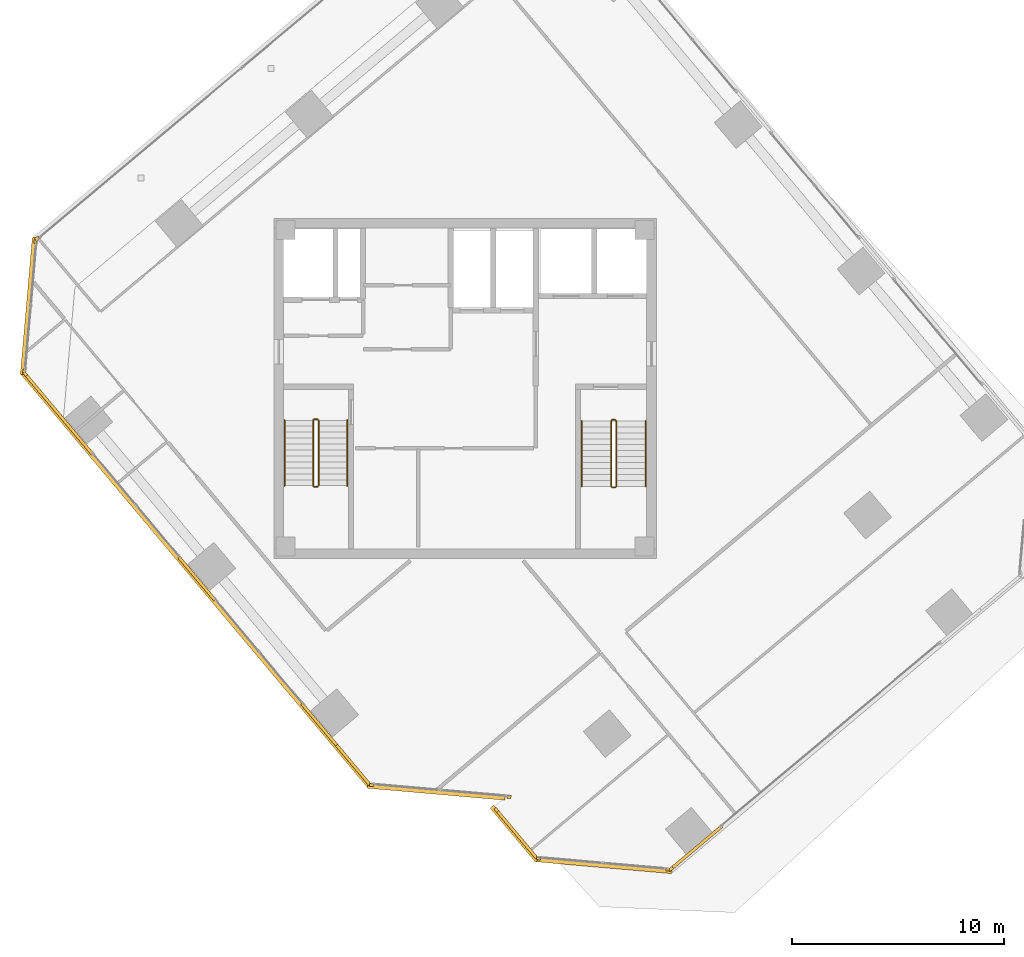
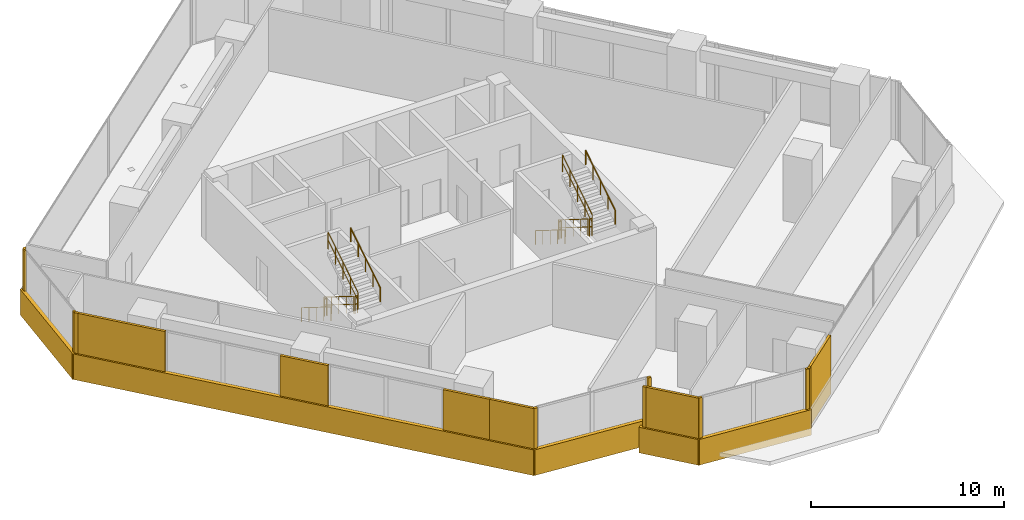
# One storey, part 15 of 17: 21 coverings, 12 railings.
"""IFC4 building model written with IfcOpenShell, lengths in metres."""

import ifcopenshell
import ifcopenshell.guid

model = None  # the IFC model being written
_history = None  # IfcOwnerHistory: only IFC2X3 demands one
_inside = {}  # id of a spatial element -> (the spatial element, [elements in it])
_under = {}  # id of a project, library or spatial element -> (it, [spatial elements below it])
_declared = {}  # id of a project -> (the project, [libraries it declares])
_typed = {}  # id of a type object -> (the type object, [elements of that type])
_made_of = {}  # id of a material, layer set ... -> (it, [elements and type objects made of it])


def new_model(schema):
    """Start an empty IFC model of exactly this schema.

    Asked for "IFC4X3", IfcOpenShell would pick the latest addendum, in which some entities
    have other attributes; the version numbers below select the first issue.
    IFC2X3 requires an IfcOwnerHistory on every rooted entity: one is made here for all.
    """
    global model, _history
    if schema == "IFC4X3":
        model = ifcopenshell.file(schema_version=(4, 3, 0, 0))
    else:
        model = ifcopenshell.file(schema=schema)
    _inside.clear()
    _under.clear()
    _declared.clear()
    _typed.clear()
    _made_of.clear()
    _history = None
    if model.schema == "IFC2X3":
        org = make("IfcOrganization", Name="unknown")
        user = make(
            "IfcPersonAndOrganization",
            ThePerson=make("IfcPerson", FamilyName="unknown"),
            TheOrganization=org,
        )
        app = make(
            "IfcApplication",
            ApplicationDeveloper=org,
            Version="unknown",
            ApplicationFullName="unknown",
            ApplicationIdentifier="unknown",
        )
        _history = make(
            "IfcOwnerHistory",
            OwningUser=user,
            OwningApplication=app,
            ChangeAction="ADDED",
            CreationDate=0,
        )
    return model


def make(cls, **values):
    """One entity of the class cls with the attributes given. An attribute that is None is left unset."""
    return model.create_entity(
        cls, **{name: value for name, value in values.items() if value is not None}
    )


def rooted(cls, **values):
    """An entity with a GlobalId (a new one), such as an element, a storey or a relation."""
    return make(cls, GlobalId=ifcopenshell.guid.new(), OwnerHistory=_history, **values)


def si_unit(unit_type, name, prefix=None):
    """IfcSIUnit, for example si_unit("LENGTHUNIT", "METRE", prefix="MILLI")."""
    return make("IfcSIUnit", UnitType=unit_type, Prefix=prefix, Name=name)


def assignment(units):
    """IfcUnitAssignment: the units of a project."""
    return None if units is None else make("IfcUnitAssignment", Units=units)


def point(xyz):
    """IfcCartesianPoint."""
    return None if xyz is None else make("IfcCartesianPoint", Coordinates=xyz)


def direction(xyz):
    """IfcDirection."""
    return None if xyz is None else make("IfcDirection", DirectionRatios=xyz)


def frame(location, z_axis=None, x_axis=None):
    """IfcAxis2Placement3D, a coordinate frame: its origin and axes. An axis left out is left unset."""
    return make(
        "IfcAxis2Placement3D",
        Location=point(location),
        Axis=direction(z_axis),
        RefDirection=direction(x_axis),
    )


def frame_2d(location, x_axis=None):
    """IfcAxis2Placement2D, a coordinate frame in the plane: its origin and x axis."""
    return make(
        "IfcAxis2Placement2D", Location=point(location), RefDirection=direction(x_axis)
    )


def origin():
    """The frame at (0, 0, 0) with its axes left unset."""
    return frame((0.0, 0.0, 0.0))


def origin_2d():
    """The frame at (0, 0) in the plane with its x axis left unset."""
    return frame_2d((0.0, 0.0))


def place(relative_to, where):
    """IfcLocalPlacement: puts the frame where relative to a parent placement (None: the world)."""
    return make(
        "IfcLocalPlacement", PlacementRelTo=relative_to, RelativePlacement=where
    )


def context(
    kind, dimensions, precision=None, world=None, true_north=None, identifier=None
):
    """IfcGeometricRepresentationContext, for example the 3D "Model" context."""
    return make(
        "IfcGeometricRepresentationContext",
        ContextIdentifier=identifier,
        ContextType=kind,
        CoordinateSpaceDimension=dimensions,
        Precision=precision,
        WorldCoordinateSystem=world,
        TrueNorth=true_north,
    )


def subcontext(parent, identifier, kind, view, scale=None):
    """IfcGeometricRepresentationSubContext, for example "Body" below "Model"."""
    return make(
        "IfcGeometricRepresentationSubContext",
        ContextIdentifier=identifier,
        ContextType=kind,
        ParentContext=parent,
        TargetScale=scale,
        TargetView=view,
    )


def project(units=None, contexts=None):
    """IfcProject with its units and contexts."""
    return rooted(
        "IfcProject",
        Name="project",
        RepresentationContexts=contexts,
        UnitsInContext=assignment(units),
    )


def spatial(cls, under=None, at=None, **own):
    """A site, building, storey or space (cls), placed at a placement, below another one or the project."""
    s = rooted(cls, ObjectPlacement=at, **own)
    if under is not None:
        _under.setdefault(under.id(), (under, []))[1].append(s)
    return s


def profile(cls, at=None, kind="AREA", **sizes):
    """A parametric profile (cls). Its sizes go by their IFC names, for example OverallWidth=200.0."""
    return make(cls, ProfileType=kind, Position=at, **sizes)


def rectangle(**sizes):
    """IfcRectangleProfileDef."""
    return profile("IfcRectangleProfileDef", **sizes)


def circle(**sizes):
    """IfcCircleProfileDef."""
    return profile("IfcCircleProfileDef", **sizes)


def extrude(swept, where, along, depth):
    """IfcExtrudedAreaSolid: the profile swept, set in the frame where, extruded along a direction by depth."""
    return make(
        "IfcExtrudedAreaSolid",
        SweptArea=swept,
        Position=where,
        ExtrudedDirection=direction(along),
        Depth=depth,
    )


def shape(context_of_items, identifier, shape_type, items):
    """IfcShapeRepresentation: the items that make up one representation, for example the "Body"."""
    return make(
        "IfcShapeRepresentation",
        ContextOfItems=context_of_items,
        RepresentationIdentifier=identifier,
        RepresentationType=shape_type,
        Items=items,
    )


def source(mapping_origin, context_of_items, identifier, shape_type, items):
    """IfcRepresentationMap: a shape defined once, which mapped items show again and again."""
    return make(
        "IfcRepresentationMap",
        MappingOrigin=mapping_origin,
        MappedRepresentation=shape(context_of_items, identifier, shape_type, items),
    )


def transform(
    local_origin,
    x_axis=None,
    y_axis=None,
    z_axis=None,
    scale=None,
    scale2=None,
    scale3=None,
    uniform=True,
):
    """IfcCartesianTransformationOperator3D, or its non-uniform kind. x_axis, y_axis, z_axis: its Axis1, 2, 3."""
    if uniform:
        return make(
            "IfcCartesianTransformationOperator3D",
            Axis1=direction(x_axis),
            Axis2=direction(y_axis),
            LocalOrigin=point(local_origin),
            Scale=scale,
            Axis3=direction(z_axis),
        )
    return make(
        "IfcCartesianTransformationOperator3DnonUniform",
        Axis1=direction(x_axis),
        Axis2=direction(y_axis),
        LocalOrigin=point(local_origin),
        Scale=scale,
        Axis3=direction(z_axis),
        Scale2=scale2,
        Scale3=scale3,
    )


def mapped(mapping_source, mapping_target):
    """IfcMappedItem: shows the shape of a source again, moved by a transform."""
    return make(
        "IfcMappedItem", MappingSource=mapping_source, MappingTarget=mapping_target
    )


def material(Name=None, Category=None):
    """IfcMaterial."""
    return make("IfcMaterial", Name=Name, Category=Category)


def layer(
    of_material, thickness, ventilated=None, Name=None, Category=None, Priority=None
):
    """IfcMaterialLayer: one layer of a wall or slab, of a material (None: an air gap)."""
    return make(
        "IfcMaterialLayer",
        Material=of_material,
        LayerThickness=thickness,
        IsVentilated=ventilated,
        Name=Name,
        Category=Category,
        Priority=Priority,
    )


def layer_set(layers, Name=None):
    """IfcMaterialLayerSet."""
    return make("IfcMaterialLayerSet", MaterialLayers=layers, LayerSetName=Name)


def made_of(thing, what):
    """Note that an element or type object is made of a material, layer set ...; save() writes the relation."""
    if what is not None:
        _made_of.setdefault(what.id(), (what, []))[1].append(thing)
    return thing


def type_object(cls, material=None, **own):
    """A type object (cls), such as IfcWallType, which elements share."""
    return made_of(rooted(cls, **own), material)


def element(
    cls,
    number,
    at=None,
    inside=None,
    cuts=None,
    type_object=None,
    material=None,
    context=None,
    identifier="Body",
    shape_type=None,
    held_by="IfcProductDefinitionShape",
    body=None,
    shapes=None,
    **own,
):
    """One element of the class cls, such as IfcWall. Its Tag is "e" and its number.

    at: its placement. inside: the storey or other place that contains it. cuts: it is an
    opening in that element (IfcRelVoidsElement). A single representation is given by context,
    identifier, shape_type and body (its items); several are given by shapes. held_by: the class
    of the entity that holds the representations. save() writes the other relations.
    """
    e = rooted(cls, Tag="e%d" % number, ObjectPlacement=at, **own)
    if body is not None:
        shapes = [shape(context, identifier, shape_type, body)]
    if shapes is not None:
        e.Representation = make(held_by, Representations=shapes)
    if inside is not None:
        _inside.setdefault(inside.id(), (inside, []))[1].append(e)
    if cuts is not None:
        rooted(
            "IfcRelVoidsElement", RelatingBuildingElement=cuts, RelatedOpeningElement=e
        )
    if type_object is not None:
        _typed.setdefault(type_object.id(), (type_object, []))[1].append(e)
    return made_of(e, material)


def aggregate(whole, parts):
    """IfcRelAggregates: a whole, such as a stair, and the parts it consists of."""
    return rooted("IfcRelAggregates", RelatingObject=whole, RelatedObjects=parts)


def save(model, path):
    """Write the relations noted so far, then the file.

    IfcRelAggregates (storeys below a building ...), IfcRelContainedInSpatialStructure (elements
    in a storey), IfcRelDefinesByType, IfcRelAssociatesMaterial and IfcRelDeclares: one each for
    every whole, place, type object, material and project.
    """
    for whole, parts in _under.values():
        aggregate(whole, parts)
    for where, things in _inside.values():
        rooted(
            "IfcRelContainedInSpatialStructure",
            RelatedElements=things,
            RelatingStructure=where,
        )
    for kind, things in _typed.values():
        rooted("IfcRelDefinesByType", RelatedObjects=things, RelatingType=kind)
    for what, things in _made_of.values():
        rooted("IfcRelAssociatesMaterial", RelatedObjects=things, RelatingMaterial=what)
    for by, libraries in _declared.values():
        rooted("IfcRelDeclares", RelatingContext=by, RelatedDefinitions=libraries)
    model.write(path)


model = new_model("IFC4")

# Units and contexts
model_context = context("Model", 3, precision=1e-05, world=origin(), true_north=direction((0.0, 1.0)))
body_context = subcontext(model_context, "Body", "Model", "MODEL_VIEW")
ifc_project = project(units=[si_unit("LENGTHUNIT", "METRE"), si_unit("AREAUNIT", "SQUARE_METRE"), si_unit("VOLUMEUNIT", "CUBIC_METRE"), si_unit("PLANEANGLEUNIT", "RADIAN"), si_unit("MASSUNIT", "GRAM", prefix="KILO")], contexts=[model_context])

# Site, building, storey
site_placement = place(None, origin())
site = spatial("IfcSite", under=ifc_project, at=site_placement, CompositionType="ELEMENT")
building_placement = place(site_placement, origin())
building = spatial("IfcBuilding", under=site, at=building_placement, Name="Torre Montelarca", CompositionType="ELEMENT")
storey_placement = place(building_placement, frame((0.0, 0.0, 266.800048828125)))
storey = spatial("IfcBuildingStorey", under=building, at=storey_placement, Name="L60", CompositionType="ELEMENT", Elevation=266.800048828125)

# Railings
ifc_material_1 = material(Name="Powder-coated steel ASTM A500 Grade C", Category="steel")
railing_type_1 = type_object("IfcRailingType", Name="RL-GUARD-1100", PredefinedType="BALUSTRADE", material=ifc_material_1)
railing_1_placement = place(storey_placement, frame((10.85009765625, 30.5, 0.175048828125)))
element("IfcRailing", 1, at=railing_1_placement, inside=storey, type_object=railing_type_1, Name="L60 ST1 stair guard 1", PredefinedType="BALUSTRADE", context=body_context, shape_type="SweptSolid", body=[
    extrude(circle(Radius=0.02392578125, at=origin_2d()), frame((0.0, 0.0, 1.076171875), z_axis=(0.0, -0.848028513186, 0.529950602248), x_axis=(1.0, 0.0, 0.0)), (0.0, 0.0, 1.0), 3.632080078125),
    extrude(circle(Radius=0.02099609375, at=origin_2d()), frame((0.0, 0.0, 0.572021484375), z_axis=(0.0, -0.848028513186, 0.529950602248), x_axis=(1.0, 0.0, 0.0)), (0.0, 0.0, 1.0), 3.632080078125),
    extrude(circle(Radius=0.02099609375, at=origin_2d()), origin(), (0.0, 0.0, 1.0), 1.052001953125),
    extrude(circle(Radius=0.02099609375, at=origin_2d()), frame((0.0, -0.77001953125, 0.481201171875)), (0.0, 0.0, 1.0), 1.052001953125),
    extrude(circle(Radius=0.02099609375, at=origin_2d()), frame((0.0, -1.5400390625, 0.96240234375)), (0.0, 0.0, 1.0), 1.052001953125),
    extrude(circle(Radius=0.02099609375, at=origin_2d()), frame((0.0, -2.31005859375, 1.443603515625)), (0.0, 0.0, 1.0), 1.052001953125),
    extrude(circle(Radius=0.02099609375, at=origin_2d()), frame((0.0, -3.080078125, 1.9248046875)), (0.0, 0.0, 1.0), 1.052001953125),
])
railing_2_placement = place(storey_placement, frame((10.89990234375, 27.3701171875, 2.099853515625)))
element("IfcRailing", 2, at=railing_2_placement, inside=storey, type_object=railing_type_1, Name="L60 ST1 stair guard 2", PredefinedType="BALUSTRADE", context=body_context, shape_type="SweptSolid", body=[
    extrude(circle(Radius=0.02392578125, at=origin_2d()), frame((0.0, 0.0, 1.076171875), z_axis=(1.0, 0.0, 0.0), x_axis=(0.0, 1.0, 0.0)), (0.0, 0.0, 1.0), 0.150146484375),
    extrude(circle(Radius=0.02099609375, at=origin_2d()), frame((0.0, 0.0, 0.572021484375), z_axis=(1.0, 0.0, 0.0), x_axis=(0.0, 1.0, 0.0)), (0.0, 0.0, 1.0), 0.150146484375),
    extrude(circle(Radius=0.02099609375, at=origin_2d()), origin(), (0.0, 0.0, 1.0), 1.052001953125),
    extrude(circle(Radius=0.02099609375, at=origin_2d()), frame((0.150146484375, 0.0, 0.0)), (0.0, 0.0, 1.0), 1.052001953125),
])
railing_3_placement = place(storey_placement, frame((11.10009765625, 27.419921875, 2.27490234375)))
element("IfcRailing", 3, at=railing_3_placement, inside=storey, type_object=railing_type_1, Name="L60 ST1 stair guard 3", PredefinedType="BALUSTRADE", context=body_context, shape_type="SweptSolid", body=[
    extrude(circle(Radius=0.02392578125, at=origin_2d()), frame((0.0, 0.0, 1.076171875), z_axis=(0.0, 0.847998304005, 0.529998940003), x_axis=(-1.0, 0.0, 0.0)), (0.0, 0.0, 1.0), 3.632080078125),
    extrude(circle(Radius=0.02099609375, at=origin_2d()), frame((0.0, 0.0, 0.572021484375), z_axis=(0.0, 0.847998304005, 0.529998940003), x_axis=(-1.0, 0.0, 0.0)), (0.0, 0.0, 1.0), 3.632080078125),
    extrude(circle(Radius=0.02099609375, at=origin_2d()), origin(), (0.0, 0.0, 1.0), 1.052001953125),
    extrude(circle(Radius=0.02099609375, at=origin_2d()), frame((0.0, 0.77001953125, 0.481201171875)), (0.0, 0.0, 1.0), 1.052001953125),
    extrude(circle(Radius=0.02099609375, at=origin_2d()), frame((0.0, 1.5400390625, 0.96240234375)), (0.0, 0.0, 1.0), 1.052001953125),
    extrude(circle(Radius=0.02099609375, at=origin_2d()), frame((0.0, 2.31005859375, 1.44384765625)), (0.0, 0.0, 1.0), 1.052001953125),
    extrude(circle(Radius=0.02099609375, at=origin_2d()), frame((0.0, 3.080078125, 1.925048828125)), (0.0, 0.0, 1.0), 1.052001953125),
])
railing_4_placement = place(storey_placement, frame((10.89990234375, 30.550048828125, 0.0)))
element("IfcRailing", 4, at=railing_4_placement, inside=storey, type_object=railing_type_1, Name="L60 ST1 stair guard 4", PredefinedType="BALUSTRADE", context=body_context, shape_type="SweptSolid", body=[
    extrude(circle(Radius=0.02392578125, at=origin_2d()), frame((0.0, 0.0, 1.076171875), z_axis=(1.0, 0.0, 0.0), x_axis=(0.0, 1.0, 0.0)), (0.0, 0.0, 1.0), 0.150146484375),
    extrude(circle(Radius=0.02099609375, at=origin_2d()), frame((0.0, 0.0, 0.572021484375), z_axis=(1.0, 0.0, 0.0), x_axis=(0.0, 1.0, 0.0)), (0.0, 0.0, 1.0), 0.150146484375),
    extrude(circle(Radius=0.02099609375, at=origin_2d()), origin(), (0.0, 0.0, 1.0), 1.052001953125),
    extrude(circle(Radius=0.02099609375, at=origin_2d()), frame((0.150146484375, 0.0, 0.0)), (0.0, 0.0, 1.0), 1.052001953125),
])
railing_5_placement = place(storey_placement, frame((24.8701171875, 30.469970703125, 0.175048828125)))
element("IfcRailing", 5, at=railing_5_placement, inside=storey, type_object=railing_type_1, Name="L60 ST2 stair guard 1", PredefinedType="BALUSTRADE", context=body_context, shape_type="SweptSolid", body=[
    extrude(circle(Radius=0.02392578125, at=origin_2d()), frame((0.0, 0.0, 1.076171875), z_axis=(0.0, -0.848028513186, 0.529950602248), x_axis=(1.0, 0.0, 0.0)), (0.0, 0.0, 1.0), 3.632080078125),
    extrude(circle(Radius=0.02099609375, at=origin_2d()), frame((0.0, 0.0, 0.572021484375), z_axis=(0.0, -0.848028513186, 0.529950602248), x_axis=(1.0, 0.0, 0.0)), (0.0, 0.0, 1.0), 3.632080078125),
    extrude(circle(Radius=0.02099609375, at=origin_2d()), origin(), (0.0, 0.0, 1.0), 1.052001953125),
    extrude(circle(Radius=0.02099609375, at=origin_2d()), frame((0.0, -0.77001953125, 0.481201171875)), (0.0, 0.0, 1.0), 1.052001953125),
    extrude(circle(Radius=0.02099609375, at=origin_2d()), frame((0.0, -1.5400390625, 0.96240234375)), (0.0, 0.0, 1.0), 1.052001953125),
    extrude(circle(Radius=0.02099609375, at=origin_2d()), frame((0.0, -2.31005859375, 1.443603515625)), (0.0, 0.0, 1.0), 1.052001953125),
    extrude(circle(Radius=0.02099609375, at=origin_2d()), frame((0.0, -3.080078125, 1.9248046875)), (0.0, 0.0, 1.0), 1.052001953125),
])
railing_6_placement = place(storey_placement, frame((24.919921875, 27.340087890625, 2.099853515625)))
element("IfcRailing", 6, at=railing_6_placement, inside=storey, type_object=railing_type_1, Name="L60 ST2 stair guard 2", PredefinedType="BALUSTRADE", context=body_context, shape_type="SweptSolid", body=[
    extrude(circle(Radius=0.02392578125, at=origin_2d()), frame((0.0, 0.0, 1.076171875), z_axis=(1.0, 0.0, 0.0), x_axis=(0.0, 1.0, 0.0)), (0.0, 0.0, 1.0), 0.150146484375),
    extrude(circle(Radius=0.02099609375, at=origin_2d()), frame((0.0, 0.0, 0.572021484375), z_axis=(1.0, 0.0, 0.0), x_axis=(0.0, 1.0, 0.0)), (0.0, 0.0, 1.0), 0.150146484375),
    extrude(circle(Radius=0.02099609375, at=origin_2d()), origin(), (0.0, 0.0, 1.0), 1.052001953125),
    extrude(circle(Radius=0.02099609375, at=origin_2d()), frame((0.150146484375, 0.0, 0.0)), (0.0, 0.0, 1.0), 1.052001953125),
])
railing_7_placement = place(storey_placement, frame((25.1201171875, 27.389892578125, 2.27490234375)))
element("IfcRailing", 7, at=railing_7_placement, inside=storey, type_object=railing_type_1, Name="L60 ST2 stair guard 3", PredefinedType="BALUSTRADE", context=body_context, shape_type="SweptSolid", body=[
    extrude(circle(Radius=0.02392578125, at=origin_2d()), frame((0.0, 0.0, 1.076171875), z_axis=(0.0, 0.847998304005, 0.529998940003), x_axis=(-1.0, 0.0, 0.0)), (0.0, 0.0, 1.0), 3.632080078125),
    extrude(circle(Radius=0.02099609375, at=origin_2d()), frame((0.0, 0.0, 0.572021484375), z_axis=(0.0, 0.847998304005, 0.529998940003), x_axis=(-1.0, 0.0, 0.0)), (0.0, 0.0, 1.0), 3.632080078125),
    extrude(circle(Radius=0.02099609375, at=origin_2d()), origin(), (0.0, 0.0, 1.0), 1.052001953125),
    extrude(circle(Radius=0.02099609375, at=origin_2d()), frame((0.0, 0.77001953125, 0.481201171875)), (0.0, 0.0, 1.0), 1.052001953125),
    extrude(circle(Radius=0.02099609375, at=origin_2d()), frame((0.0, 1.5400390625, 0.96240234375)), (0.0, 0.0, 1.0), 1.052001953125),
    extrude(circle(Radius=0.02099609375, at=origin_2d()), frame((0.0, 2.31005859375, 1.44384765625)), (0.0, 0.0, 1.0), 1.052001953125),
    extrude(circle(Radius=0.02099609375, at=origin_2d()), frame((0.0, 3.080078125, 1.925048828125)), (0.0, 0.0, 1.0), 1.052001953125),
])
railing_8_placement = place(storey_placement, frame((24.919921875, 30.52001953125, 0.0)))
element("IfcRailing", 8, at=railing_8_placement, inside=storey, type_object=railing_type_1, Name="L60 ST2 stair guard 4", PredefinedType="BALUSTRADE", context=body_context, shape_type="SweptSolid", body=[
    extrude(circle(Radius=0.02392578125, at=origin_2d()), frame((0.0, 0.0, 1.076171875), z_axis=(1.0, 0.0, 0.0), x_axis=(0.0, 1.0, 0.0)), (0.0, 0.0, 1.0), 0.150146484375),
    extrude(circle(Radius=0.02099609375, at=origin_2d()), frame((0.0, 0.0, 0.572021484375), z_axis=(1.0, 0.0, 0.0), x_axis=(0.0, 1.0, 0.0)), (0.0, 0.0, 1.0), 0.150146484375),
    extrude(circle(Radius=0.02099609375, at=origin_2d()), origin(), (0.0, 0.0, 1.0), 1.052001953125),
    extrude(circle(Radius=0.02099609375, at=origin_2d()), frame((0.150146484375, 0.0, 0.0)), (0.0, 0.0, 1.0), 1.052001953125),
])
ifc_material_2 = material(Name="Brushed stainless steel AISI 316", Category="steel")
railing_type_2 = type_object("IfcRailingType", Name="RL-HANDRAIL-900", PredefinedType="HANDRAIL", material=ifc_material_2)
railing_9_placement = place(storey_placement, frame((9.5, 30.5, 0.175048828125)))
element("IfcRailing", 9, at=railing_9_placement, inside=storey, type_object=railing_type_2, Name="L60 ST1 stair handrail 1", PredefinedType="HANDRAIL", context=body_context, shape_type="SweptSolid", body=[
    extrude(circle(Radius=0.02392578125, at=origin_2d()), frame((0.0, 0.0, 0.8759765625), z_axis=(0.0, -0.848028513186, 0.529950602248), x_axis=(1.0, 0.0, 0.0)), (0.0, 0.0, 1.0), 3.632080078125),
    extrude(circle(Radius=0.02099609375, at=origin_2d()), origin(), (0.0, 0.0, 1.0), 0.851806640625),
    extrude(circle(Radius=0.02099609375, at=origin_2d()), frame((0.0, -0.77001953125, 0.481201171875)), (0.0, 0.0, 1.0), 0.851806640625),
    extrude(circle(Radius=0.02099609375, at=origin_2d()), frame((0.0, -1.5400390625, 0.96240234375)), (0.0, 0.0, 1.0), 0.851806640625),
    extrude(circle(Radius=0.02099609375, at=origin_2d()), frame((0.0, -2.31005859375, 1.443603515625)), (0.0, 0.0, 1.0), 0.851806640625),
    extrude(circle(Radius=0.02099609375, at=origin_2d()), frame((0.0, -3.080078125, 1.9248046875)), (0.0, 0.0, 1.0), 0.851806640625),
])
railing_10_placement = place(storey_placement, frame((12.449951171875, 27.419921875, 2.27490234375)))
element("IfcRailing", 10, at=railing_10_placement, inside=storey, type_object=railing_type_2, Name="L60 ST1 stair handrail 2", PredefinedType="HANDRAIL", context=body_context, shape_type="SweptSolid", body=[
    extrude(circle(Radius=0.02392578125, at=origin_2d()), frame((0.0, 0.0, 0.8759765625), z_axis=(0.0, 0.847998304005, 0.529998940003), x_axis=(-1.0, 0.0, 0.0)), (0.0, 0.0, 1.0), 3.632080078125),
    extrude(circle(Radius=0.02099609375, at=origin_2d()), origin(), (0.0, 0.0, 1.0), 0.851806640625),
    extrude(circle(Radius=0.02099609375, at=origin_2d()), frame((0.0, 0.77001953125, 0.481201171875)), (0.0, 0.0, 1.0), 0.851806640625),
    extrude(circle(Radius=0.02099609375, at=origin_2d()), frame((0.0, 1.5400390625, 0.96240234375)), (0.0, 0.0, 1.0), 0.851806640625),
    extrude(circle(Radius=0.02099609375, at=origin_2d()), frame((0.0, 2.31005859375, 1.44384765625)), (0.0, 0.0, 1.0), 0.851806640625),
    extrude(circle(Radius=0.02099609375, at=origin_2d()), frame((0.0, 3.080078125, 1.925048828125)), (0.0, 0.0, 1.0), 0.851806640625),
])
railing_11_placement = place(storey_placement, frame((23.489990234375, 30.469970703125, 0.175048828125)))
element("IfcRailing", 11, at=railing_11_placement, inside=storey, type_object=railing_type_2, Name="L60 ST2 stair handrail 1", PredefinedType="HANDRAIL", context=body_context, shape_type="SweptSolid", body=[
    extrude(circle(Radius=0.02392578125, at=origin_2d()), frame((0.0, 0.0, 0.8759765625), z_axis=(0.0, -0.848028513186, 0.529950602248), x_axis=(1.0, 0.0, 0.0)), (0.0, 0.0, 1.0), 3.632080078125),
    extrude(circle(Radius=0.02099609375, at=origin_2d()), origin(), (0.0, 0.0, 1.0), 0.851806640625),
    extrude(circle(Radius=0.02099609375, at=origin_2d()), frame((0.0, -0.77001953125, 0.481201171875)), (0.0, 0.0, 1.0), 0.851806640625),
    extrude(circle(Radius=0.02099609375, at=origin_2d()), frame((0.0, -1.5400390625, 0.96240234375)), (0.0, 0.0, 1.0), 0.851806640625),
    extrude(circle(Radius=0.02099609375, at=origin_2d()), frame((0.0, -2.31005859375, 1.443603515625)), (0.0, 0.0, 1.0), 0.851806640625),
    extrude(circle(Radius=0.02099609375, at=origin_2d()), frame((0.0, -3.080078125, 1.9248046875)), (0.0, 0.0, 1.0), 0.851806640625),
])
railing_12_placement = place(storey_placement, frame((26.5, 27.389892578125, 2.27490234375)))
element("IfcRailing", 12, at=railing_12_placement, inside=storey, type_object=railing_type_2, Name="L60 ST2 stair handrail 2", PredefinedType="HANDRAIL", context=body_context, shape_type="SweptSolid", body=[
    extrude(circle(Radius=0.02392578125, at=origin_2d()), frame((0.0, 0.0, 0.8759765625), z_axis=(0.0, 0.847998304005, 0.529998940003), x_axis=(-1.0, 0.0, 0.0)), (0.0, 0.0, 1.0), 3.632080078125),
    extrude(circle(Radius=0.02099609375, at=origin_2d()), origin(), (0.0, 0.0, 1.0), 0.851806640625),
    extrude(circle(Radius=0.02099609375, at=origin_2d()), frame((0.0, 0.77001953125, 0.481201171875)), (0.0, 0.0, 1.0), 0.851806640625),
    extrude(circle(Radius=0.02099609375, at=origin_2d()), frame((0.0, 1.5400390625, 0.96240234375)), (0.0, 0.0, 1.0), 0.851806640625),
    extrude(circle(Radius=0.02099609375, at=origin_2d()), frame((0.0, 2.31005859375, 1.44384765625)), (0.0, 0.0, 1.0), 0.851806640625),
    extrude(circle(Radius=0.02099609375, at=origin_2d()), frame((0.0, 3.080078125, 1.925048828125)), (0.0, 0.0, 1.0), 0.851806640625),
])

# Coverings
ifc_material_3 = material(Name="Bush-hammered warm white precast concrete C45/55", Category="concrete")
ifc_layer = layer(ifc_material_3, 0.139892578125, Name="Bush-hammered warm white precast concrete C45/55", Category="concrete")
ifc_layer_set = layer_set([ifc_layer], Name="Bush-hammered warm white precast concrete C45/55")
covering_type = type_object("IfcCoveringType", Name="COV-TRAY-CLAD", PredefinedType="CLADDING", material=ifc_layer_set)
shared_shape_1 = source(origin(), body_context, "Body", "SweptSolid", [
    extrude(rectangle(XDim=6.48388671875, YDim=0.219970703125, at=origin_2d()), origin(), (0.0, 0.0, 1.0), 1.6201171875),
])
for number, where, z_axis, x_axis, name in (
    (13, (16.64404296875, 13.006103515625, -0.4501953125), (0.0, 0.0, 1.0), (0.996194089606, -0.087162697497, 0.0), "L60 Architectural White Spandrel Tray Band TRYBOT-02"),
    (14, (24.504638671875, 9.55029296875, -0.4501953125), (0.0, 0.0, 1.0), (0.996195458631, -0.087147049306, 0.0), "L60 Architectural White Spandrel Tray Band TRYBOT-05"),
    (15, (-2.548095703125, 35.87841796875, -0.4501953125), (0.0, 0.0, 1.0), (-0.087162697497, -0.996194089606, 0.0), "L60 Architectural White Spandrel Tray Band TRYBOT-11"),
):
    element("IfcCovering", number, at=place(storey_placement, frame(where, z_axis=z_axis, x_axis=x_axis)), inside=storey, type_object=covering_type, Name=name, PredefinedType="CLADDING", context=body_context, shape_type="MappedRepresentation", body=[
        mapped(shared_shape_1, transform((0.0, 0.0, 0.0), scale=1.0)),
    ])
shared_shape_2 = source(origin(), body_context, "Body", "SweptSolid", [
    extrude(rectangle(XDim=25.52001953125, YDim=0.219970703125, at=origin_2d()), origin(), (0.0, 0.0, 1.0), 1.6201171875),
])
covering_1_placement = place(storey_placement, frame((5.331298828125, 23.001708984375, -0.4501953125), z_axis=(0.0, 0.0, 1.0), x_axis=(0.642787609687, -0.766044443119, 0.0)))
element("IfcCovering", 16, at=covering_1_placement, inside=storey, type_object=covering_type, Name="L60 Architectural White Spandrel Tray Band TRYBOT-01", PredefinedType="CLADDING", context=body_context, shape_type="MappedRepresentation", body=[
    mapped(shared_shape_2, transform((0.0, 0.0, 0.0), scale=1.0)),
])
shared_shape_3 = source(origin(), body_context, "Body", "SweptSolid", [
    extrude(rectangle(XDim=0.199951171875, YDim=0.139892578125, at=origin_2d()), origin(), (0.0, 0.0, 1.0), 3.719970703125),
])
for number, where, z_axis, x_axis, name in (
    (17, (-2.7119140625, 32.680419921875, 0.0), (0.0, 0.0, 1.0), (0.642788946685, -0.766043321242, 0.0), "L60 Architectural Column Pier Cladding E01-1"),
    (18, (13.594970703125, 13.333251953125, 0.0), (0.0, 0.0, 1.0), (0.996193481071, -0.087169652241, 0.0), "L60 Architectural Column Pier Cladding E02-1"),
    (19, (20.070068359375, 12.7666015625, 0.0), (0.0, 0.0, 1.0), (0.996193481071, -0.087169652241, 0.0), "L60 Architectural Column Pier Cladding E02-2"),
    (20, (19.467529296875, 12.159912109375, 0.0), (0.0, 0.0, 1.0), (0.642807664463, -0.766027614716, 0.0), "L60 Architectural Column Pier Cladding E04-1"),
    (21, (21.455322265625, 9.877197265625, 0.0), (0.0, 0.0, 1.0), (0.996194241732, -0.08716095881, 0.0), "L60 Architectural Column Pier Cladding E05-1"),
    (22, (27.564208984375, 9.3427734375, 0.0), (0.0, 0.0, 1.0), (0.996194241732, -0.08716095881, 0.0), "L60 Architectural Column Pier Cladding E05-2"),
    (23, (27.70263671875, 9.386474609375, 0.0), (0.0, 0.0, 1.0), (0.766044443119, 0.642787609687, 0.0), "L60 Architectural Column Pier Cladding E06-1"),
    (24, (-2.15380859375, 39.056396484375, 0.0), (0.0, 0.0, 1.0), (-0.766043321242, -0.642788946685, 0.0), "L60 Architectural Column Pier Cladding E10-2"),
    (25, (-2.220947265625, 38.927490234375, 0.0), (0.0, 0.0, 1.0), (-0.087176606982, -0.996192872488, 0.0), "L60 Architectural Column Pier Cladding E11-1"),
    (26, (-2.755615234375, 32.81884765625, 0.0), (0.0, 0.0, 1.0), (-0.087176606982, -0.996192872488, 0.0), "L60 Architectural Column Pier Cladding E11-2"),
):
    element("IfcCovering", number, at=place(storey_placement, frame(where, z_axis=z_axis, x_axis=x_axis)), inside=storey, type_object=covering_type, Name=name, PredefinedType="CLADDING", context=body_context, shape_type="MappedRepresentation", body=[
        mapped(shared_shape_3, transform((0.0, 0.0, 0.0), scale=1.0)),
    ])
shared_shape_4 = source(origin(), body_context, "Body", "SweptSolid", [
    extrude(rectangle(XDim=3.320068359375, YDim=0.219970703125, at=origin_2d()), origin(), (0.0, 0.0, 1.0), 1.6201171875),
])
covering_2_placement = place(storey_placement, frame((20.32666015625, 11.04248046875, -0.4501953125), z_axis=(0.0, 0.0, 1.0), x_axis=(0.642790283682, -0.766042199362, 0.0)))
element("IfcCovering", 27, at=covering_2_placement, inside=storey, type_object=covering_type, Name="L60 Architectural White Spandrel Tray Band TRYBOT-04", PredefinedType="CLADDING", context=body_context, shape_type="MappedRepresentation", body=[
    mapped(shared_shape_4, transform((0.0, 0.0, 0.0), scale=1.0)),
])
shared_shape_5 = source(origin(), body_context, "Body", "SweptSolid", [
    extrude(rectangle(XDim=2.9921875, YDim=0.139892578125, at=origin_2d()), origin(), (0.0, 0.0, 1.0), 3.719970703125),
])
covering_3_placement = place(storey_placement, frame((20.42919921875, 11.013671875, 0.0), z_axis=(0.0, 0.0, 1.0), x_axis=(0.642807664463, -0.766027614716, 0.0)))
element("IfcCovering", 28, at=covering_3_placement, inside=storey, type_object=covering_type, Name="L60 Architectural Column Pier Cladding E04-2", PredefinedType="CLADDING", context=body_context, shape_type="MappedRepresentation", body=[
    mapped(shared_shape_5, transform((0.0, 0.0, 0.0), scale=1.0)),
])
shared_shape_6 = source(origin(), body_context, "Body", "SweptSolid", [
    extrude(rectangle(XDim=2.659912109375, YDim=0.139892578125, at=origin_2d()), origin(), (0.0, 0.0, 1.0), 3.719970703125),
])
for number, where, z_axis, x_axis, name in (
    (29, (5.377197265625, 23.040283203125, 0.0), (0.0, 0.0, 1.0), (0.642788946685, -0.766043321242, 0.0), "L60 Architectural Column Pier Cladding E01-3"),
    (30, (11.162353515625, 16.14599609375, 0.0), (0.0, 0.0, 1.0), (0.642788946685, -0.766043321242, 0.0), "L60 Architectural Column Pier Cladding E01-4"),
):
    element("IfcCovering", number, at=place(storey_placement, frame(where, z_axis=z_axis, x_axis=x_axis)), inside=storey, type_object=covering_type, Name=name, PredefinedType="CLADDING", context=body_context, shape_type="MappedRepresentation", body=[
        mapped(shared_shape_6, transform((0.0, 0.0, 0.0), scale=1.0)),
    ])
shared_shape_7 = source(origin(), body_context, "Body", "SweptSolid", [
    extrude(rectangle(XDim=2.4541015625, YDim=0.139892578125, at=origin_2d()), origin(), (0.0, 0.0, 1.0), 3.719970703125),
])
covering_4_placement = place(storey_placement, frame((12.74169921875, 14.263671875, 0.0), z_axis=(0.0, 0.0, 1.0), x_axis=(0.642788946685, -0.766043321242, 0.0)))
element("IfcCovering", 31, at=covering_4_placement, inside=storey, type_object=covering_type, Name="L60 Architectural Column Pier Cladding E01-5", PredefinedType="CLADDING", context=body_context, shape_type="MappedRepresentation", body=[
    mapped(shared_shape_7, transform((0.0, 0.0, 0.0), scale=1.0)),
])
shared_shape_8 = source(origin(), body_context, "Body", "SweptSolid", [
    extrude(rectangle(XDim=4.914306640625, YDim=0.139892578125, at=origin_2d()), origin(), (0.0, 0.0, 1.0), 3.719970703125),
])
covering_5_placement = place(storey_placement, frame((-1.13232421875, 30.798095703125, 0.0), z_axis=(0.0, 0.0, 1.0), x_axis=(0.642788946685, -0.766043321242, 0.0)))
element("IfcCovering", 32, at=covering_5_placement, inside=storey, type_object=covering_type, Name="L60 Architectural Column Pier Cladding E01-2", PredefinedType="CLADDING", context=body_context, shape_type="MappedRepresentation", body=[
    mapped(shared_shape_8, transform((0.0, 0.0, 0.0), scale=1.0)),
])
shared_shape_9 = source(origin(), body_context, "Body", "SweptSolid", [
    extrude(rectangle(XDim=3.114013671875, YDim=0.139892578125, at=origin_2d()), origin(), (0.0, 0.0, 1.0), 3.719970703125),
])
covering_6_placement = place(storey_placement, frame((28.8955078125, 10.387451171875, 0.0), z_axis=(0.0, 0.0, 1.0), x_axis=(0.766044443119, 0.642787609687, 0.0)))
element("IfcCovering", 33, at=covering_6_placement, inside=storey, type_object=covering_type, Name="L60 Architectural Column Pier Cladding E06-2", PredefinedType="CLADDING", context=body_context, shape_type="MappedRepresentation", body=[
    mapped(shared_shape_9, transform((0.0, 0.0, 0.0), scale=1.0)),
])

save(model, "model.ifc")
